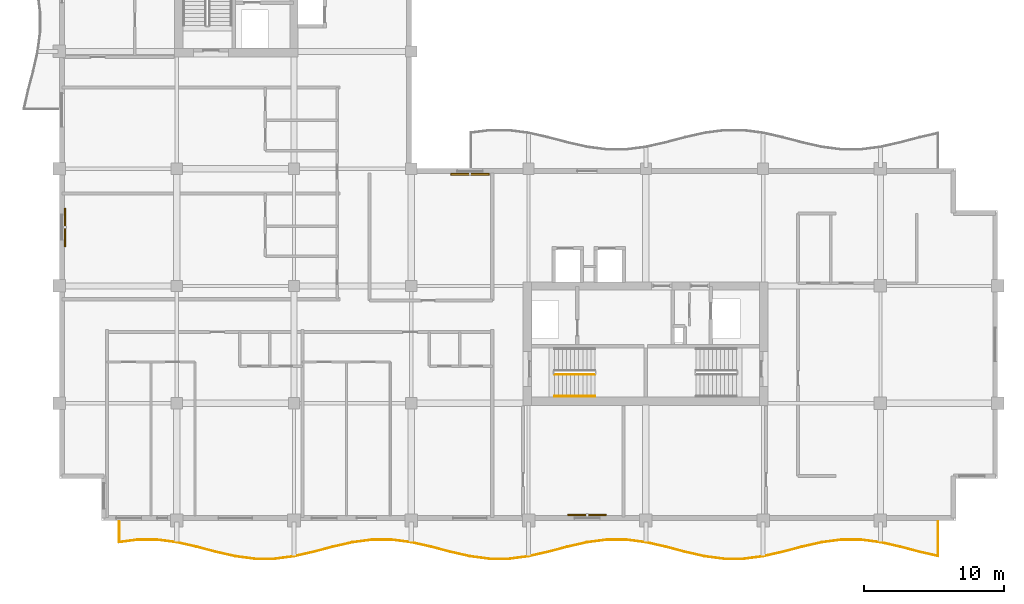
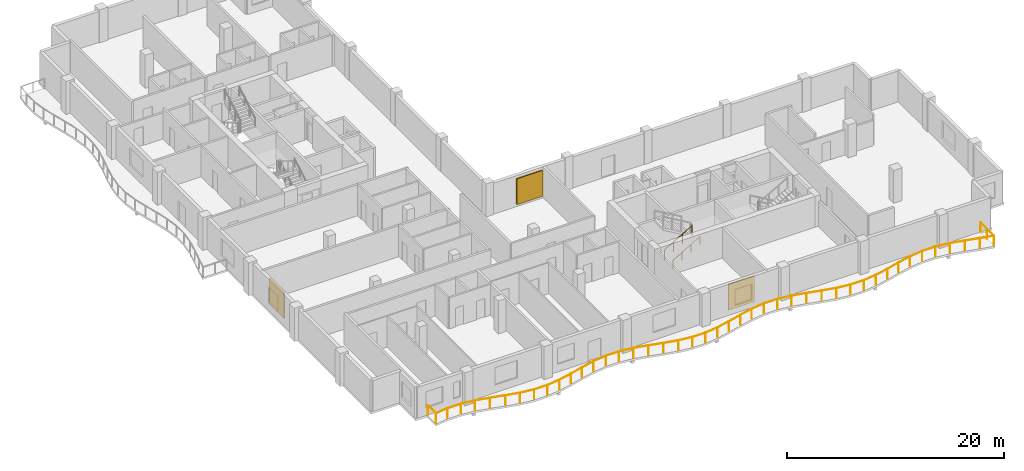
# One storey, part 10 of 12: 3 railings, 3 shading devices.
"""IFC4 building model written with IfcOpenShell, lengths in metres."""

from ifc_helpers import new_model, si_unit, direction, frame, origin, origin_2d, place, context, subcontext, project, spatial, rectangle, circle, extrude, material, layer, layer_set, type_object, element, save


model = new_model("IFC4")

# Units and contexts
model_context = context("Model", 3, precision=1e-05, world=origin(), true_north=direction((0.0, 1.0)))
body_context = subcontext(model_context, "Body", "Model", "MODEL_VIEW")
ifc_project = project(units=[si_unit("LENGTHUNIT", "METRE"), si_unit("AREAUNIT", "SQUARE_METRE"), si_unit("VOLUMEUNIT", "CUBIC_METRE"), si_unit("PLANEANGLEUNIT", "RADIAN"), si_unit("MASSUNIT", "GRAM", prefix="KILO")], contexts=[model_context])

# Site, building, storey
site_placement = place(None, origin())
site = spatial("IfcSite", under=ifc_project, at=site_placement, CompositionType="ELEMENT")
building_placement = place(site_placement, origin())
building = spatial("IfcBuilding", under=site, at=building_placement, Name="Koriwani Terraces Tower", CompositionType="ELEMENT")
storey_placement = place(building_placement, frame((0.0, 0.0, 256.39990234375)))
storey = spatial("IfcBuildingStorey", under=building, at=storey_placement, Name="L63", CompositionType="ELEMENT", Elevation=256.39990234375)

# Railings
ifc_material_1 = material(Name="Steel ASTM A572 Grade 50", Category="steel")
railing_type_1 = type_object("IfcRailingType", Name="GUARD_BALUSTRADE_1150", PredefinedType="BALUSTRADE", material=ifc_material_1)
railing_1_placement = place(storey_placement, frame((12.679931640625, 8.320068359375, 0.0)))
element("IfcRailing", 1, at=railing_1_placement, inside=storey, type_object=railing_type_1, Name="L63 Balcony Perimeter Safety Balustrade (S)", PredefinedType="BALUSTRADE", context=body_context, shape_type="SweptSolid", body=[
    extrude(circle(Radius=0.02392578125, at=origin_2d()), frame((0.0, 0.0, 1.1259765625), z_axis=(0.0, -1.0, 0.0), x_axis=(1.0, 0.0, 0.0)), (0.0, 0.0, 1.0), 1.466796875),
    extrude(circle(Radius=0.02392578125, at=origin_2d()), frame((0.0, -1.466796875, 1.1259765625), z_axis=(0.991541795882, 0.129787776847, 0.0), x_axis=(-0.129787776847, 0.991541795882, 0.0)), (0.0, 0.0, 1.0), 1.326171875),
    extrude(circle(Radius=0.02392578125, at=origin_2d()), frame((1.31494140625, -1.294677734375, 1.1259765625), z_axis=(1.0, 0.0, 0.0), x_axis=(0.0, 1.0, 0.0)), (0.0, 0.0, 1.0), 1.410400390625),
    extrude(circle(Radius=0.02392578125, at=origin_2d()), frame((2.725341796875, -1.294677734375, 1.1259765625), z_axis=(0.991528403605, -0.12989004906, 0.0), x_axis=(0.12989004906, 0.991528403605, 0.0)), (0.0, 0.0, 1.0), 1.4208984375),
    extrude(circle(Radius=0.02392578125, at=origin_2d()), frame((4.13427734375, -1.479248046875, 1.1259765625), z_axis=(0.975122866469, -0.221665052023, 0.0), x_axis=(0.221665052023, 0.975122866469, 0.0)), (0.0, 0.0, 1.0), 1.440673828125),
    extrude(circle(Radius=0.02392578125, at=origin_2d()), frame((5.5390625, -1.798583984375, 1.1259765625), z_axis=(0.967196782226, -0.254028314271, 0.0), x_axis=(0.254028314271, 0.967196782226, 0.0)), (0.0, 0.0, 1.0), 1.447265625),
    extrude(circle(Radius=0.02392578125, at=origin_2d()), frame((6.93896484375, -2.166259765625, 1.1259765625), z_axis=(0.975164692652, -0.221480974814, 0.0), x_axis=(0.221480974814, 0.975164692652, 0.0)), (0.0, 0.0, 1.0), 1.430908203125),
    extrude(circle(Radius=0.02392578125, at=origin_2d()), frame((8.334228515625, -2.483154296875, 1.1259765625), z_axis=(0.991493340479, -0.130157426935, 0.0), x_axis=(0.130157426935, 0.991493340479, 0.0)), (0.0, 0.0, 1.0), 1.403076171875),
    extrude(circle(Radius=0.02392578125, at=origin_2d()), frame((9.725341796875, -2.665771484375, 1.1259765625), z_axis=(1.0, 0.0, 0.0), x_axis=(0.0, 1.0, 0.0)), (0.0, 0.0, 1.0), 1.3896484375),
    extrude(circle(Radius=0.02392578125, at=origin_2d()), frame((11.114990234375, -2.665771484375, 1.1259765625), z_axis=(0.991490391866, 0.130179886452, 0.0), x_axis=(-0.130179886452, 0.991490391866, 0.0)), (0.0, 0.0, 1.0), 1.40283203125),
    extrude(circle(Radius=0.02392578125, at=origin_2d()), frame((12.505859375, -2.483154296875, 1.1259765625), z_axis=(0.975164692652, 0.221480974814, 0.0), x_axis=(-0.221480974814, 0.975164692652, 0.0)), (0.0, 0.0, 1.0), 1.430908203125),
    extrude(circle(Radius=0.02392578125, at=origin_2d()), frame((13.901123046875, -2.166259765625, 1.1259765625), z_axis=(0.967196782226, 0.254028314271, 0.0), x_axis=(-0.254028314271, 0.967196782226, 0.0)), (0.0, 0.0, 1.0), 1.447265625),
    extrude(circle(Radius=0.02392578125, at=origin_2d()), frame((15.301025390625, -1.798583984375, 1.1259765625), z_axis=(0.975131191317, 0.221628427149, 0.0), x_axis=(-0.221628427149, 0.975131191317, 0.0)), (0.0, 0.0, 1.0), 1.44091796875),
    extrude(circle(Radius=0.02392578125, at=origin_2d()), frame((16.7060546875, -1.479248046875, 1.1259765625), z_axis=(0.991528403605, 0.12989004906, 0.0), x_axis=(-0.12989004906, 0.991528403605, 0.0)), (0.0, 0.0, 1.0), 1.4208984375),
    extrude(circle(Radius=0.02392578125, at=origin_2d()), frame((18.114990234375, -1.294677734375, 1.1259765625), z_axis=(1.0, 0.0, 0.0), x_axis=(0.0, 1.0, 0.0)), (0.0, 0.0, 1.0), 1.41015625),
    extrude(circle(Radius=0.02392578125, at=origin_2d()), frame((19.525146484375, -1.294677734375, 1.1259765625), z_axis=(0.991528403605, -0.12989004906, 0.0), x_axis=(0.12989004906, 0.991528403605, 0.0)), (0.0, 0.0, 1.0), 1.4208984375),
    extrude(circle(Radius=0.02392578125, at=origin_2d()), frame((20.93408203125, -1.479248046875, 1.1259765625), z_axis=(0.975131191317, -0.221628427149, 0.0), x_axis=(0.221628427149, 0.975131191317, 0.0)), (0.0, 0.0, 1.0), 1.44091796875),
    extrude(circle(Radius=0.02392578125, at=origin_2d()), frame((22.339111328125, -1.798583984375, 1.1259765625), z_axis=(0.967196782226, -0.254028314271, 0.0), x_axis=(0.254028314271, 0.967196782226, 0.0)), (0.0, 0.0, 1.0), 1.447265625),
    extrude(circle(Radius=0.02392578125, at=origin_2d()), frame((23.739013671875, -2.166259765625, 1.1259765625), z_axis=(0.975164692652, -0.221480974814, 0.0), x_axis=(0.221480974814, 0.975164692652, 0.0)), (0.0, 0.0, 1.0), 1.430908203125),
    extrude(circle(Radius=0.02392578125, at=origin_2d()), frame((25.13427734375, -2.483154296875, 1.1259765625), z_axis=(0.991490391866, -0.130179886452, 0.0), x_axis=(0.130179886452, 0.991490391866, 0.0)), (0.0, 0.0, 1.0), 1.40283203125),
    extrude(circle(Radius=0.02392578125, at=origin_2d()), frame((26.525146484375, -2.665771484375, 1.1259765625), z_axis=(1.0, 0.0, 0.0), x_axis=(0.0, 1.0, 0.0)), (0.0, 0.0, 1.0), 1.3896484375),
    extrude(circle(Radius=0.02392578125, at=origin_2d()), frame((27.914794921875, -2.665771484375, 1.1259765625), z_axis=(0.991493340479, 0.130157426935, 0.0), x_axis=(-0.130157426935, 0.991493340479, 0.0)), (0.0, 0.0, 1.0), 1.403076171875),
    extrude(circle(Radius=0.02392578125, at=origin_2d()), frame((29.305908203125, -2.483154296875, 1.1259765625), z_axis=(0.975164692652, 0.221480974814, 0.0), x_axis=(-0.221480974814, 0.975164692652, 0.0)), (0.0, 0.0, 1.0), 1.430908203125),
    extrude(circle(Radius=0.02392578125, at=origin_2d()), frame((30.701171875, -2.166259765625, 1.1259765625), z_axis=(0.967196782226, 0.254028314271, 0.0), x_axis=(-0.254028314271, 0.967196782226, 0.0)), (0.0, 0.0, 1.0), 1.447265625),
    extrude(circle(Radius=0.02392578125, at=origin_2d()), frame((32.10107421875, -1.798583984375, 1.1259765625), z_axis=(0.975122866469, 0.221665052023, 0.0), x_axis=(-0.221665052023, 0.975122866469, 0.0)), (0.0, 0.0, 1.0), 1.440673828125),
    extrude(circle(Radius=0.02392578125, at=origin_2d()), frame((33.505859375, -1.479248046875, 1.1259765625), z_axis=(0.991528403605, 0.12989004906, 0.0), x_axis=(-0.12989004906, 0.991528403605, 0.0)), (0.0, 0.0, 1.0), 1.4208984375),
    extrude(circle(Radius=0.02392578125, at=origin_2d()), frame((34.914794921875, -1.294677734375, 1.1259765625), z_axis=(1.0, 0.0, 0.0), x_axis=(0.0, 1.0, 0.0)), (0.0, 0.0, 1.0), 1.410400390625),
    extrude(circle(Radius=0.02392578125, at=origin_2d()), frame((36.3251953125, -1.294677734375, 1.1259765625), z_axis=(0.991528403605, -0.12989004906, 0.0), x_axis=(0.12989004906, 0.991528403605, 0.0)), (0.0, 0.0, 1.0), 1.4208984375),
    extrude(circle(Radius=0.02392578125, at=origin_2d()), frame((37.734130859375, -1.479248046875, 1.1259765625), z_axis=(0.975131191317, -0.221628427149, 0.0), x_axis=(0.221628427149, 0.975131191317, 0.0)), (0.0, 0.0, 1.0), 1.44091796875),
    extrude(circle(Radius=0.02392578125, at=origin_2d()), frame((39.13916015625, -1.798583984375, 1.1259765625), z_axis=(0.967196782226, -0.254028314271, 0.0), x_axis=(0.254028314271, 0.967196782226, 0.0)), (0.0, 0.0, 1.0), 1.447265625),
    extrude(circle(Radius=0.02392578125, at=origin_2d()), frame((40.5390625, -2.166259765625, 1.1259765625), z_axis=(0.975156320387, -0.221517834068, 0.0), x_axis=(0.221517834068, 0.975156320387, 0.0)), (0.0, 0.0, 1.0), 1.4306640625),
    extrude(circle(Radius=0.02392578125, at=origin_2d()), frame((41.93408203125, -2.483154296875, 1.1259765625), z_axis=(0.991493340479, -0.130157426935, 0.0), x_axis=(0.130157426935, 0.991493340479, 0.0)), (0.0, 0.0, 1.0), 1.403076171875),
    extrude(circle(Radius=0.02392578125, at=origin_2d()), frame((43.3251953125, -2.665771484375, 1.1259765625), z_axis=(1.0, 0.0, 0.0), x_axis=(0.0, 1.0, 0.0)), (0.0, 0.0, 1.0), 1.3896484375),
    extrude(circle(Radius=0.02392578125, at=origin_2d()), frame((44.71484375, -2.665771484375, 1.1259765625), z_axis=(0.991493340479, 0.130157426935, 0.0), x_axis=(-0.130157426935, 0.991493340479, 0.0)), (0.0, 0.0, 1.0), 1.403076171875),
    extrude(circle(Radius=0.02392578125, at=origin_2d()), frame((46.10595703125, -2.483154296875, 1.1259765625), z_axis=(0.975156320387, 0.221517834068, 0.0), x_axis=(-0.221517834068, 0.975156320387, 0.0)), (0.0, 0.0, 1.0), 1.4306640625),
    extrude(circle(Radius=0.02392578125, at=origin_2d()), frame((47.5009765625, -2.166259765625, 1.1259765625), z_axis=(0.967207664387, 0.253986877518, 0.0), x_axis=(-0.253986877518, 0.967207664387, 0.0)), (0.0, 0.0, 1.0), 1.447509765625),
    extrude(circle(Radius=0.02392578125, at=origin_2d()), frame((48.901123046875, -1.798583984375, 1.1259765625), z_axis=(0.975122866469, 0.221665052023, 0.0), x_axis=(-0.221665052023, 0.975122866469, 0.0)), (0.0, 0.0, 1.0), 1.440673828125),
    extrude(circle(Radius=0.02392578125, at=origin_2d()), frame((50.305908203125, -1.479248046875, 1.1259765625), z_axis=(0.991528403605, 0.12989004906, 0.0), x_axis=(-0.12989004906, 0.991528403605, 0.0)), (0.0, 0.0, 1.0), 1.4208984375),
    extrude(circle(Radius=0.02392578125, at=origin_2d()), frame((51.71484375, -1.294677734375, 1.1259765625), z_axis=(1.0, 0.0, 0.0), x_axis=(0.0, 1.0, 0.0)), (0.0, 0.0, 1.0), 1.410400390625),
    extrude(circle(Radius=0.02392578125, at=origin_2d()), frame((53.125244140625, -1.294677734375, 1.1259765625), z_axis=(0.991528403605, -0.12989004906, 0.0), x_axis=(0.12989004906, 0.991528403605, 0.0)), (0.0, 0.0, 1.0), 1.4208984375),
    extrude(circle(Radius=0.02392578125, at=origin_2d()), frame((54.5341796875, -1.479248046875, 1.1259765625), z_axis=(0.975122866469, -0.221665052023, 0.0), x_axis=(0.221665052023, 0.975122866469, 0.0)), (0.0, 0.0, 1.0), 1.440673828125),
    extrude(circle(Radius=0.02392578125, at=origin_2d()), frame((55.93896484375, -1.798583984375, 1.1259765625), z_axis=(0.967207664387, -0.253986877518, 0.0), x_axis=(0.253986877518, 0.967207664387, 0.0)), (0.0, 0.0, 1.0), 1.447509765625),
    extrude(circle(Radius=0.02392578125, at=origin_2d()), frame((57.339111328125, -2.166259765625, 1.1259765625), z_axis=(0.97513824805, -0.221597376316, 0.0), x_axis=(0.221597376316, 0.97513824805, 0.0)), (0.0, 0.0, 1.0), 1.334228515625),
    extrude(circle(Radius=0.02392578125, at=origin_2d()), frame((58.64013671875, -2.4619140625, 1.1259765625), z_axis=(0.0, 1.0, 0.0), x_axis=(-1.0, 0.0, 0.0)), (0.0, 0.0, 1.0), 2.4619140625),
    extrude(circle(Radius=0.02099609375, at=origin_2d()), origin(), (0.0, 0.0, 1.0), 1.101806640625),
    extrude(circle(Radius=0.02099609375, at=origin_2d()), frame((0.0, -1.466796875, 0.0)), (0.0, 0.0, 1.0), 1.101806640625),
    extrude(circle(Radius=0.02099609375, at=origin_2d()), frame((1.31494140625, -1.294677734375, 0.0)), (0.0, 0.0, 1.0), 1.101806640625),
    extrude(circle(Radius=0.02099609375, at=origin_2d()), frame((2.725341796875, -1.294677734375, 0.0)), (0.0, 0.0, 1.0), 1.101806640625),
    extrude(circle(Radius=0.02099609375, at=origin_2d()), frame((4.13427734375, -1.479248046875, 0.0)), (0.0, 0.0, 1.0), 1.101806640625),
    extrude(circle(Radius=0.02099609375, at=origin_2d()), frame((5.5390625, -1.798583984375, 0.0)), (0.0, 0.0, 1.0), 1.101806640625),
    extrude(circle(Radius=0.02099609375, at=origin_2d()), frame((6.93896484375, -2.166259765625, 0.0)), (0.0, 0.0, 1.0), 1.101806640625),
    extrude(circle(Radius=0.02099609375, at=origin_2d()), frame((8.334228515625, -2.483154296875, 0.0)), (0.0, 0.0, 1.0), 1.101806640625),
    extrude(circle(Radius=0.02099609375, at=origin_2d()), frame((9.725341796875, -2.665771484375, 0.0)), (0.0, 0.0, 1.0), 1.101806640625),
    extrude(circle(Radius=0.02099609375, at=origin_2d()), frame((11.114990234375, -2.665771484375, 0.0)), (0.0, 0.0, 1.0), 1.101806640625),
    extrude(circle(Radius=0.02099609375, at=origin_2d()), frame((12.505859375, -2.483154296875, 0.0)), (0.0, 0.0, 1.0), 1.101806640625),
    extrude(circle(Radius=0.02099609375, at=origin_2d()), frame((13.901123046875, -2.166259765625, 0.0)), (0.0, 0.0, 1.0), 1.101806640625),
    extrude(circle(Radius=0.02099609375, at=origin_2d()), frame((15.301025390625, -1.798583984375, 0.0)), (0.0, 0.0, 1.0), 1.101806640625),
    extrude(circle(Radius=0.02099609375, at=origin_2d()), frame((16.7060546875, -1.479248046875, 0.0)), (0.0, 0.0, 1.0), 1.101806640625),
    extrude(circle(Radius=0.02099609375, at=origin_2d()), frame((18.114990234375, -1.294677734375, 0.0)), (0.0, 0.0, 1.0), 1.101806640625),
    extrude(circle(Radius=0.02099609375, at=origin_2d()), frame((19.525146484375, -1.294677734375, 0.0)), (0.0, 0.0, 1.0), 1.101806640625),
    extrude(circle(Radius=0.02099609375, at=origin_2d()), frame((20.93408203125, -1.479248046875, 0.0)), (0.0, 0.0, 1.0), 1.101806640625),
    extrude(circle(Radius=0.02099609375, at=origin_2d()), frame((22.339111328125, -1.798583984375, 0.0)), (0.0, 0.0, 1.0), 1.101806640625),
    extrude(circle(Radius=0.02099609375, at=origin_2d()), frame((23.739013671875, -2.166259765625, 0.0)), (0.0, 0.0, 1.0), 1.101806640625),
    extrude(circle(Radius=0.02099609375, at=origin_2d()), frame((25.13427734375, -2.483154296875, 0.0)), (0.0, 0.0, 1.0), 1.101806640625),
    extrude(circle(Radius=0.02099609375, at=origin_2d()), frame((26.525146484375, -2.665771484375, 0.0)), (0.0, 0.0, 1.0), 1.101806640625),
    extrude(circle(Radius=0.02099609375, at=origin_2d()), frame((27.914794921875, -2.665771484375, 0.0)), (0.0, 0.0, 1.0), 1.101806640625),
    extrude(circle(Radius=0.02099609375, at=origin_2d()), frame((29.305908203125, -2.483154296875, 0.0)), (0.0, 0.0, 1.0), 1.101806640625),
    extrude(circle(Radius=0.02099609375, at=origin_2d()), frame((30.701171875, -2.166259765625, 0.0)), (0.0, 0.0, 1.0), 1.101806640625),
    extrude(circle(Radius=0.02099609375, at=origin_2d()), frame((32.10107421875, -1.798583984375, 0.0)), (0.0, 0.0, 1.0), 1.101806640625),
    extrude(circle(Radius=0.02099609375, at=origin_2d()), frame((33.505859375, -1.479248046875, 0.0)), (0.0, 0.0, 1.0), 1.101806640625),
    extrude(circle(Radius=0.02099609375, at=origin_2d()), frame((34.914794921875, -1.294677734375, 0.0)), (0.0, 0.0, 1.0), 1.101806640625),
    extrude(circle(Radius=0.02099609375, at=origin_2d()), frame((36.3251953125, -1.294677734375, 0.0)), (0.0, 0.0, 1.0), 1.101806640625),
    extrude(circle(Radius=0.02099609375, at=origin_2d()), frame((37.734130859375, -1.479248046875, 0.0)), (0.0, 0.0, 1.0), 1.101806640625),
    extrude(circle(Radius=0.02099609375, at=origin_2d()), frame((39.13916015625, -1.798583984375, 0.0)), (0.0, 0.0, 1.0), 1.101806640625),
    extrude(circle(Radius=0.02099609375, at=origin_2d()), frame((40.5390625, -2.166259765625, 0.0)), (0.0, 0.0, 1.0), 1.101806640625),
    extrude(circle(Radius=0.02099609375, at=origin_2d()), frame((41.93408203125, -2.483154296875, 0.0)), (0.0, 0.0, 1.0), 1.101806640625),
    extrude(circle(Radius=0.02099609375, at=origin_2d()), frame((43.3251953125, -2.665771484375, 0.0)), (0.0, 0.0, 1.0), 1.101806640625),
    extrude(circle(Radius=0.02099609375, at=origin_2d()), frame((44.71484375, -2.665771484375, 0.0)), (0.0, 0.0, 1.0), 1.101806640625),
    extrude(circle(Radius=0.02099609375, at=origin_2d()), frame((46.10595703125, -2.483154296875, 0.0)), (0.0, 0.0, 1.0), 1.101806640625),
    extrude(circle(Radius=0.02099609375, at=origin_2d()), frame((47.5009765625, -2.166259765625, 0.0)), (0.0, 0.0, 1.0), 1.101806640625),
    extrude(circle(Radius=0.02099609375, at=origin_2d()), frame((48.901123046875, -1.798583984375, 0.0)), (0.0, 0.0, 1.0), 1.101806640625),
    extrude(circle(Radius=0.02099609375, at=origin_2d()), frame((50.305908203125, -1.479248046875, 0.0)), (0.0, 0.0, 1.0), 1.101806640625),
    extrude(circle(Radius=0.02099609375, at=origin_2d()), frame((51.71484375, -1.294677734375, 0.0)), (0.0, 0.0, 1.0), 1.101806640625),
    extrude(circle(Radius=0.02099609375, at=origin_2d()), frame((53.125244140625, -1.294677734375, 0.0)), (0.0, 0.0, 1.0), 1.101806640625),
    extrude(circle(Radius=0.02099609375, at=origin_2d()), frame((54.5341796875, -1.479248046875, 0.0)), (0.0, 0.0, 1.0), 1.101806640625),
    extrude(circle(Radius=0.02099609375, at=origin_2d()), frame((55.93896484375, -1.798583984375, 0.0)), (0.0, 0.0, 1.0), 1.101806640625),
    extrude(circle(Radius=0.02099609375, at=origin_2d()), frame((57.339111328125, -2.166259765625, 0.0)), (0.0, 0.0, 1.0), 1.101806640625),
    extrude(circle(Radius=0.02099609375, at=origin_2d()), frame((58.64013671875, -2.4619140625, 0.0)), (0.0, 0.0, 1.0), 1.101806640625),
    extrude(circle(Radius=0.02099609375, at=origin_2d()), frame((58.64013671875, -1.23095703125, 0.0)), (0.0, 0.0, 1.0), 1.101806640625),
    extrude(circle(Radius=0.02099609375, at=origin_2d()), frame((58.64013671875, 0.0, 0.0)), (0.0, 0.0, 1.0), 1.101806640625),
])
railing_type_2 = type_object("IfcRailingType", Name="GUARD_STAIR_WELL_1120", PredefinedType="GUARDRAIL", material=ifc_material_1)
railing_2_placement = place(storey_placement, frame((43.85009765625, 18.85009765625, 0.168212890625)))
element("IfcRailing", 2, at=railing_2_placement, inside=storey, type_object=railing_type_2, Name="L63 ST-E1 stair guard 1", PredefinedType="GUARDRAIL", context=body_context, shape_type="SweptSolid", body=[
    extrude(circle(Radius=0.02392578125, at=origin_2d()), frame((0.0, 0.0, 1.1259765625), z_axis=(0.865038774852, 0.0, 0.501705010941), x_axis=(0.0, 1.0, 0.0)), (0.0, 0.0, 1.0), 3.352294921875),
    extrude(circle(Radius=0.02099609375, at=origin_2d()), origin(), (0.0, 0.0, 1.0), 1.101806640625),
    extrude(circle(Radius=0.02099609375, at=origin_2d()), frame((0.966552734375, 0.0, 0.560546875)), (0.0, 0.0, 1.0), 1.101806640625),
    extrude(circle(Radius=0.02099609375, at=origin_2d()), frame((1.933349609375, 0.0, 1.121337890625)), (0.0, 0.0, 1.0), 1.101806640625),
    extrude(circle(Radius=0.02099609375, at=origin_2d()), frame((2.89990234375, 0.0, 1.681884765625)), (0.0, 0.0, 1.0), 1.101806640625),
])
railing_type_3 = type_object("IfcRailingType", Name="HANDRAIL_STAIR_920", PredefinedType="HANDRAIL", material=ifc_material_1)
railing_3_placement = place(storey_placement, frame((43.85009765625, 17.300048828125, 0.168212890625)))
element("IfcRailing", 3, at=railing_3_placement, inside=storey, type_object=railing_type_3, Name="L63 ST-E1 stair handrail 1", PredefinedType="HANDRAIL", context=body_context, shape_type="SweptSolid", body=[
    extrude(circle(Radius=0.02392578125, at=origin_2d()), frame((0.0, 0.0, 0.8759765625), z_axis=(0.865038774852, 0.0, 0.501705010941), x_axis=(0.0, 1.0, 0.0)), (0.0, 0.0, 1.0), 3.352294921875),
    extrude(circle(Radius=0.02099609375, at=origin_2d()), origin(), (0.0, 0.0, 1.0), 0.851806640625),
    extrude(circle(Radius=0.02099609375, at=origin_2d()), frame((0.966552734375, 0.0, 0.560546875)), (0.0, 0.0, 1.0), 0.851806640625),
    extrude(circle(Radius=0.02099609375, at=origin_2d()), frame((1.933349609375, 0.0, 1.121337890625)), (0.0, 0.0, 1.0), 0.851806640625),
    extrude(circle(Radius=0.02099609375, at=origin_2d()), frame((2.89990234375, 0.0, 1.681884765625)), (0.0, 0.0, 1.0), 0.851806640625),
])

# Shading devices
ifc_material_2 = material(Name="Extruded Terracotta Clay", Category="masonry")
ifc_layer = layer(ifc_material_2, 0.1201171875, Name="Extruded Terracotta Clay")
ifc_layer_set = layer_set([ifc_layer], Name="Extruded Terracotta Clay")
shading_device_type = type_object("IfcShadingDeviceType", Name="TERRACOTTA_BAGUETTE_SCREEN_2800", PredefinedType="USERDEFINED", material=ifc_layer_set)
for number, where, z_axis, x_axis, name in (
    (4, (8.804931640625, 29.39990234375, 0.28515625), (0.0, 0.0, 1.0), (0.0, 1.0, 0.0), "L63 Extruded Terracotta Baguette Screen (W-6)"),
    (5, (37.800048828125, 33.195068359375, 0.28515625), (0.0, 0.0, 1.0), (1.0, 0.0, 0.0), "L63 Extruded Terracotta Baguette Screen (NE-2)"),
    (6, (46.199951171875, 8.804931640625, 0.28515625), (0.0, 0.0, 1.0), (-1.0, 0.0, 0.0), "L63 Extruded Terracotta Baguette Screen (S-12)"),
):
    element("IfcShadingDevice", number, at=place(storey_placement, frame(where, z_axis=z_axis, x_axis=x_axis)), inside=storey, type_object=shading_device_type, Name=name, ObjectType="BAGUETTE", PredefinedType="USERDEFINED", context=body_context, shape_type="SweptSolid", body=[
        extrude(rectangle(XDim=2.760009765625, YDim=0.1201171875, at=origin_2d()), origin(), (0.0, 0.0, 1.0), 2.89990234375),
    ])

save(model, "model.ifc")
